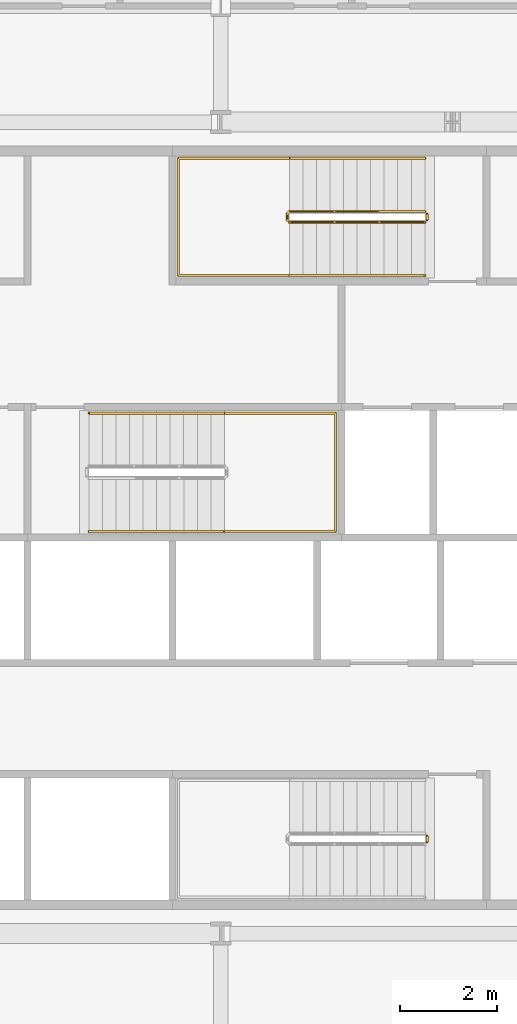
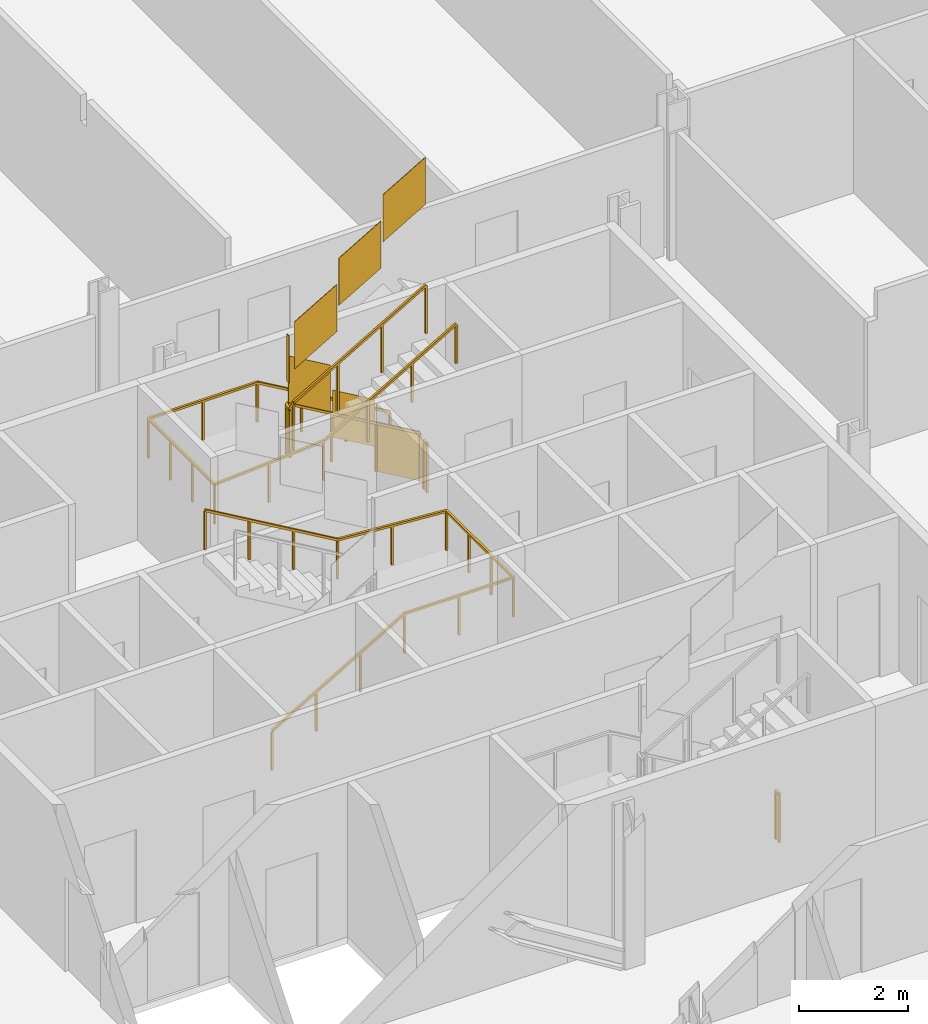
# One storey, part 19 of 22: 5 railings.
"""IFC4 building model written with IfcOpenShell, lengths in metres."""

from ifc_helpers import new_model, si_unit, direction, frame, origin, origin_2d, place, context, subcontext, project, spatial, polyline, rectangle, outline, extrude, material, type_object, element, save


model = new_model("IFC4")

# Units and contexts
model_context = context("Model", 3, precision=1e-05, world=origin(), true_north=direction((0.0, 1.0)))
body_context = subcontext(model_context, "Body", "Model", "MODEL_VIEW")
ifc_project = project(units=[si_unit("LENGTHUNIT", "METRE"), si_unit("AREAUNIT", "SQUARE_METRE"), si_unit("VOLUMEUNIT", "CUBIC_METRE"), si_unit("PLANEANGLEUNIT", "RADIAN"), si_unit("MASSUNIT", "GRAM", prefix="KILO")], contexts=[model_context])

# Site, building, storey
site_placement = place(None, origin())
site = spatial("IfcSite", under=ifc_project, at=site_placement, CompositionType="ELEMENT")
building_placement = place(site_placement, origin())
building = spatial("IfcBuilding", under=site, at=building_placement, Name="Cairn Pilgrim Tower", CompositionType="ELEMENT")
storey_placement = place(building_placement, frame((0.0, 0.0, 105.0)))
storey = spatial("IfcBuildingStorey", under=building, at=storey_placement, Name="L25", CompositionType="ELEMENT", Elevation=105.0)

# Railings
ifc_material = material(Name="Painted steel", Category="steel")
railing_type_1 = type_object("IfcRailingType", Name="STAIR GUARD 1100", PredefinedType="GUARDRAIL", material=ifc_material)
railing_1_placement = place(storey_placement, frame((11.47509765625, -3.97509765625, 0.0)))
element("IfcRailing", 1, at=railing_1_placement, inside=storey, type_object=railing_type_1, Name="L25 ST-A stair guard 2", PredefinedType="GUARDRAIL", context=body_context, shape_type="SweptSolid", body=[
    extrude(rectangle(XDim=0.048095703125, YDim=0.048095703125, at=origin_2d()), frame((0.0, 0.0, 1.076171875), z_axis=(0.0, -1.0, 0.0), x_axis=(1.0, 0.0, 0.0)), (0.0, 0.0, 1.0), 0.125),
    extrude(rectangle(XDim=0.0419921875, YDim=0.0419921875, at=origin_2d()), origin(), (0.0, 0.0, 1.0), 1.052001953125),
    extrude(rectangle(XDim=0.0419921875, YDim=0.0419921875, at=origin_2d()), frame((0.0, -0.125, 0.0)), (0.0, 0.0, 1.0), 1.052001953125),
    extrude(outline(polyline([(0.02099609375, 0.0), (0.10400390625, 0.0), (0.10400390625, 1.052001953125), (0.02099609375, 1.052001953125), (0.02099609375, 0.0)])), frame((0.005859375, 0.0, 0.0), z_axis=(-1.0, 0.0, 0.0), x_axis=(0.0, -1.0, 0.0)), (0.0, 0.0, 1.0), 0.011962890625),
])
railing_2_placement = place(storey_placement, frame((11.425048828125, 8.949951171875, 0.16357421875)))
element("IfcRailing", 2, at=railing_2_placement, inside=storey, type_object=railing_type_1, Name="L25 ST-C stair guard 1", PredefinedType="GUARDRAIL", context=body_context, shape_type="SweptSolid", body=[
    extrude(rectangle(XDim=0.048095703125, YDim=0.048095703125, at=origin_2d()), frame((0.0, 0.0, 1.076171875), z_axis=(-0.863360870873, 0.0, 0.504586966384), x_axis=(0.0, -1.0, 0.0)), (0.0, 0.0, 1.0), 3.2431640625),
    extrude(rectangle(XDim=0.048095703125, YDim=0.048095703125, at=origin_2d()), frame((-2.800048828125, 0.0, 2.71240234375), z_axis=(-0.707106781187, -0.707106781187, 0.0), x_axis=(0.707106781187, -0.707106781187, 0.0)), (0.0, 0.0, 1.0), 0.07080078125),
    extrude(rectangle(XDim=0.048095703125, YDim=0.048095703125, at=origin_2d()), frame((-2.85009765625, -0.050048828125, 2.71240234375), z_axis=(0.0, -1.0, 0.0), x_axis=(1.0, 0.0, 0.0)), (0.0, 0.0, 1.0), 0.125),
    extrude(rectangle(XDim=0.048095703125, YDim=0.048095703125, at=origin_2d()), frame((-2.85009765625, -0.175048828125, 2.71240234375), z_axis=(0.280916556609, -0.279546231943, 0.91811752648), x_axis=(0.705375805398, 0.708833529934, 0.0)), (0.0, 0.0, 1.0), 0.17822265625),
    extrude(rectangle(XDim=0.048095703125, YDim=0.048095703125, at=origin_2d()), frame((-2.800048828125, -0.224853515625, 2.8759765625), z_axis=(0.863360870873, 0.0, 0.504586966384), x_axis=(0.0, 1.0, 0.0)), (0.0, 0.0, 1.0), 3.2431640625),
    extrude(rectangle(XDim=0.0419921875, YDim=0.0419921875, at=origin_2d()), origin(), (0.0, 0.0, 1.0), 1.052001953125),
    extrude(rectangle(XDim=0.0419921875, YDim=0.0419921875, at=origin_2d()), frame((-0.933349609375, 0.0, 0.54541015625)), (0.0, 0.0, 1.0), 1.052001953125),
    extrude(rectangle(XDim=0.0419921875, YDim=0.0419921875, at=origin_2d()), frame((-1.86669921875, 0.0, 1.091064453125)), (0.0, 0.0, 1.0), 1.052001953125),
    extrude(rectangle(XDim=0.0419921875, YDim=0.0419921875, at=origin_2d()), frame((-2.800048828125, 0.0, 1.636474609375)), (0.0, 0.0, 1.0), 1.052001953125),
    extrude(rectangle(XDim=0.0419921875, YDim=0.0419921875, at=origin_2d()), frame((-2.85009765625, -0.050048828125, 1.636474609375)), (0.0, 0.0, 1.0), 1.052001953125),
    extrude(rectangle(XDim=0.0419921875, YDim=0.0419921875, at=origin_2d()), frame((-2.85009765625, -0.175048828125, 1.636474609375)), (0.0, 0.0, 1.0), 1.052001953125),
    extrude(rectangle(XDim=0.0419921875, YDim=0.0419921875, at=origin_2d()), frame((-2.800048828125, -0.224853515625, 1.800048828125)), (0.0, 0.0, 1.0), 1.052001953125),
    extrude(rectangle(XDim=0.0419921875, YDim=0.0419921875, at=origin_2d()), frame((-1.86669921875, -0.224853515625, 2.345458984375)), (0.0, 0.0, 1.0), 1.052001953125),
    extrude(rectangle(XDim=0.0419921875, YDim=0.0419921875, at=origin_2d()), frame((-0.933349609375, -0.224853515625, 2.89111328125)), (0.0, 0.0, 1.0), 1.052001953125),
    extrude(rectangle(XDim=0.0419921875, YDim=0.0419921875, at=origin_2d()), frame((0.0, -0.224853515625, 3.4365234375)), (0.0, 0.0, 1.0), 1.052001953125),
    extrude(outline(polyline([(0.02099609375, 0.01220703125), (0.912353515625, 0.533203125), (0.912353515625, 1.585205078125), (0.02099609375, 1.064208984375), (0.02099609375, 0.01220703125)])), frame((0.0, -0.005859375, 0.0), z_axis=(0.0, 1.0, 0.0), x_axis=(-1.0, 0.0, 0.0)), (0.0, 0.0, 1.0), 0.011962890625),
    extrude(outline(polyline([(0.02099609375, 0.557861328125), (0.912353515625, 1.07861328125), (0.912353515625, 2.130615234375), (0.02099609375, 1.60986328125), (0.02099609375, 0.557861328125)])), frame((-0.933349609375, -0.005859375, 0.54541015625), z_axis=(0.0, 1.0, 0.0), x_axis=(-1.0, 0.0, 0.0)), (0.0, 0.0, 1.0), 0.011962890625),
    extrude(outline(polyline([(0.02099609375, 1.103271484375), (0.912353515625, 1.624267578125), (0.912353515625, 2.67626953125), (0.02099609375, 2.1552734375), (0.02099609375, 1.103271484375)])), frame((-1.86669921875, -0.005859375, 1.091064453125), z_axis=(0.0, 1.0, 0.0), x_axis=(-1.0, 0.0, 0.0)), (0.0, 0.0, 1.0), 0.011962890625),
    extrude(outline(polyline([(0.02099609375, 1.636474609375), (0.10400390625, 1.636474609375), (0.10400390625, 2.6884765625), (0.02099609375, 2.6884765625), (0.02099609375, 1.636474609375)])), frame((-2.84423828125, -0.050048828125, 1.636474609375), z_axis=(-1.0, 0.0, 0.0), x_axis=(0.0, -1.0, 0.0)), (0.0, 0.0, 1.0), 0.011962890625),
    extrude(outline(polyline([(0.02099609375, 1.812255859375), (0.912353515625, 2.333251953125), (0.912353515625, 3.38525390625), (0.02099609375, 2.8642578125), (0.02099609375, 1.812255859375)])), frame((-2.800048828125, -0.21875, 1.800048828125), z_axis=(0.0, -1.0, 0.0), x_axis=(1.0, 0.0, 0.0)), (0.0, 0.0, 1.0), 0.011962890625),
    extrude(outline(polyline([(0.02099609375, 2.35791015625), (0.912353515625, 2.878662109375), (0.912353515625, 3.9306640625), (0.02099609375, 3.409912109375), (0.02099609375, 2.35791015625)])), frame((-1.86669921875, -0.21875, 2.345458984375), z_axis=(0.0, -1.0, 0.0), x_axis=(1.0, 0.0, 0.0)), (0.0, 0.0, 1.0), 0.011962890625),
    extrude(outline(polyline([(0.02099609375, 2.9033203125), (0.912353515625, 3.42431640625), (0.912353515625, 4.476318359375), (0.02099609375, 3.955322265625), (0.02099609375, 2.9033203125)])), frame((-0.933349609375, -0.21875, 2.89111328125), z_axis=(0.0, -1.0, 0.0), x_axis=(1.0, 0.0, 0.0)), (0.0, 0.0, 1.0), 0.011962890625),
])
railing_3_placement = place(storey_placement, frame((11.47509765625, 8.89990234375, 0.0)))
element("IfcRailing", 3, at=railing_3_placement, inside=storey, type_object=railing_type_1, Name="L25 ST-C stair guard 2", PredefinedType="GUARDRAIL", context=body_context, shape_type="SweptSolid", body=[
    extrude(rectangle(XDim=0.048095703125, YDim=0.048095703125, at=origin_2d()), frame((0.0, 0.0, 1.076171875), z_axis=(0.0, -1.0, 0.0), x_axis=(1.0, 0.0, 0.0)), (0.0, 0.0, 1.0), 0.125),
    extrude(rectangle(XDim=0.0419921875, YDim=0.0419921875, at=origin_2d()), origin(), (0.0, 0.0, 1.0), 1.052001953125),
    extrude(rectangle(XDim=0.0419921875, YDim=0.0419921875, at=origin_2d()), frame((0.0, -0.125, 0.0)), (0.0, 0.0, 1.0), 1.052001953125),
    extrude(outline(polyline([(0.02099609375, 0.0), (0.10400390625, 0.0), (0.10400390625, 1.052001953125), (0.02099609375, 1.052001953125), (0.02099609375, 0.0)])), frame((0.005859375, 0.0, 0.0), z_axis=(-1.0, 0.0, 0.0), x_axis=(0.0, -1.0, 0.0)), (0.0, 0.0, 1.0), 0.011962890625),
])
railing_type_2 = type_object("IfcRailingType", Name="STAIR HANDRAIL 900", PredefinedType="HANDRAIL", material=ifc_material)
railing_4_placement = place(storey_placement, frame((4.47509765625, 2.324951171875, 0.16357421875)))
element("IfcRailing", 4, at=railing_4_placement, inside=storey, type_object=railing_type_2, Name="L25 ST-B stair handrail 1", PredefinedType="HANDRAIL", context=body_context, shape_type="SweptSolid", body=[
    extrude(rectangle(XDim=0.048095703125, YDim=0.048095703125, at=origin_2d()), frame((0.0, 0.0, 0.8759765625), z_axis=(0.863341702679, 0.0, 0.504619762213), x_axis=(0.0, 1.0, 0.0)), (0.0, 0.0, 1.0), 3.242919921875),
    extrude(rectangle(XDim=0.048095703125, YDim=0.048095703125, at=origin_2d()), frame((2.7998046875, 0.0, 2.51220703125), z_axis=(1.0, 0.0, 0.0), x_axis=(0.0, 1.0, 0.0)), (0.0, 0.0, 1.0), 2.300048828125),
    extrude(rectangle(XDim=0.048095703125, YDim=0.048095703125, at=origin_2d()), frame((5.099853515625, 0.0, 2.51220703125), z_axis=(0.0, 1.0, 0.0), x_axis=(-1.0, 0.0, 0.0)), (0.0, 0.0, 1.0), 2.449951171875),
    extrude(rectangle(XDim=0.048095703125, YDim=0.048095703125, at=origin_2d()), frame((5.099853515625, 2.449951171875, 2.51220703125), z_axis=(-0.997480687736, 0.0, 0.070938548008), x_axis=(0.0, -1.0, 0.0)), (0.0, 0.0, 1.0), 2.305908203125),
    extrude(rectangle(XDim=0.048095703125, YDim=0.048095703125, at=origin_2d()), frame((2.7998046875, 2.449951171875, 2.67578125), z_axis=(-0.863341702679, 0.0, 0.504619762213), x_axis=(0.0, -1.0, 0.0)), (0.0, 0.0, 1.0), 3.242919921875),
    extrude(rectangle(XDim=0.0419921875, YDim=0.0419921875, at=origin_2d()), origin(), (0.0, 0.0, 1.0), 0.851806640625),
    extrude(rectangle(XDim=0.0419921875, YDim=0.0419921875, at=origin_2d()), frame((0.933349609375, 0.0, 0.54541015625)), (0.0, 0.0, 1.0), 0.851806640625),
    extrude(rectangle(XDim=0.0419921875, YDim=0.0419921875, at=origin_2d()), frame((1.866455078125, 0.0, 1.091064453125)), (0.0, 0.0, 1.0), 0.851806640625),
    extrude(rectangle(XDim=0.0419921875, YDim=0.0419921875, at=origin_2d()), frame((2.7998046875, 0.0, 1.636474609375)), (0.0, 0.0, 1.0), 0.851806640625),
    extrude(rectangle(XDim=0.0419921875, YDim=0.0419921875, at=origin_2d()), frame((3.94970703125, 0.0, 1.636474609375)), (0.0, 0.0, 1.0), 0.851806640625),
    extrude(rectangle(XDim=0.0419921875, YDim=0.0419921875, at=origin_2d()), frame((5.099853515625, 0.0, 1.636474609375)), (0.0, 0.0, 1.0), 0.851806640625),
    extrude(rectangle(XDim=0.0419921875, YDim=0.0419921875, at=origin_2d()), frame((5.099853515625, 0.816650390625, 1.636474609375)), (0.0, 0.0, 1.0), 0.851806640625),
    extrude(rectangle(XDim=0.0419921875, YDim=0.0419921875, at=origin_2d()), frame((5.099853515625, 1.63330078125, 1.636474609375)), (0.0, 0.0, 1.0), 0.851806640625),
    extrude(rectangle(XDim=0.0419921875, YDim=0.0419921875, at=origin_2d()), frame((5.099853515625, 2.449951171875, 1.636474609375)), (0.0, 0.0, 1.0), 0.851806640625),
    extrude(rectangle(XDim=0.0419921875, YDim=0.0419921875, at=origin_2d()), frame((3.94970703125, 2.449951171875, 1.71826171875)), (0.0, 0.0, 1.0), 0.851806640625),
    extrude(rectangle(XDim=0.0419921875, YDim=0.0419921875, at=origin_2d()), frame((2.7998046875, 2.449951171875, 1.800048828125)), (0.0, 0.0, 1.0), 0.851806640625),
    extrude(rectangle(XDim=0.0419921875, YDim=0.0419921875, at=origin_2d()), frame((1.866455078125, 2.449951171875, 2.345458984375)), (0.0, 0.0, 1.0), 0.851806640625),
    extrude(rectangle(XDim=0.0419921875, YDim=0.0419921875, at=origin_2d()), frame((0.933349609375, 2.449951171875, 2.89111328125)), (0.0, 0.0, 1.0), 0.851806640625),
    extrude(rectangle(XDim=0.0419921875, YDim=0.0419921875, at=origin_2d()), frame((0.0, 2.449951171875, 3.4365234375)), (0.0, 0.0, 1.0), 0.851806640625),
])
railing_5_placement = place(storey_placement, frame((11.425048828125, 10.050048828125, 0.16357421875)))
element("IfcRailing", 5, at=railing_5_placement, inside=storey, type_object=railing_type_2, Name="L25 ST-C stair handrail 1", PredefinedType="HANDRAIL", context=body_context, shape_type="SweptSolid", body=[
    extrude(rectangle(XDim=0.048095703125, YDim=0.048095703125, at=origin_2d()), frame((0.0, 0.0, 0.8759765625), z_axis=(-0.863360870873, 0.0, 0.504586966384), x_axis=(0.0, -1.0, 0.0)), (0.0, 0.0, 1.0), 3.2431640625),
    extrude(rectangle(XDim=0.048095703125, YDim=0.048095703125, at=origin_2d()), frame((-2.800048828125, 0.0, 2.51220703125), z_axis=(-1.0, 0.0, 0.0), x_axis=(0.0, -1.0, 0.0)), (0.0, 0.0, 1.0), 2.300048828125),
    extrude(rectangle(XDim=0.048095703125, YDim=0.048095703125, at=origin_2d()), frame((-5.10009765625, 0.0, 2.51220703125), z_axis=(0.0, -1.0, 0.0), x_axis=(1.0, 0.0, 0.0)), (0.0, 0.0, 1.0), 2.425048828125),
    extrude(rectangle(XDim=0.048095703125, YDim=0.048095703125, at=origin_2d()), frame((-5.10009765625, -2.425048828125, 2.51220703125), z_axis=(0.997480687736, 0.0, 0.070938548008), x_axis=(0.0, 1.0, 0.0)), (0.0, 0.0, 1.0), 2.305908203125),
    extrude(rectangle(XDim=0.048095703125, YDim=0.048095703125, at=origin_2d()), frame((-2.800048828125, -2.425048828125, 2.67578125), z_axis=(0.863360870873, 0.0, 0.504586966384), x_axis=(0.0, 1.0, 0.0)), (0.0, 0.0, 1.0), 3.2431640625),
    extrude(rectangle(XDim=0.0419921875, YDim=0.0419921875, at=origin_2d()), origin(), (0.0, 0.0, 1.0), 0.851806640625),
    extrude(rectangle(XDim=0.0419921875, YDim=0.0419921875, at=origin_2d()), frame((-0.933349609375, 0.0, 0.54541015625)), (0.0, 0.0, 1.0), 0.851806640625),
    extrude(rectangle(XDim=0.0419921875, YDim=0.0419921875, at=origin_2d()), frame((-1.86669921875, 0.0, 1.091064453125)), (0.0, 0.0, 1.0), 0.851806640625),
    extrude(rectangle(XDim=0.0419921875, YDim=0.0419921875, at=origin_2d()), frame((-2.800048828125, 0.0, 1.636474609375)), (0.0, 0.0, 1.0), 0.851806640625),
    extrude(rectangle(XDim=0.0419921875, YDim=0.0419921875, at=origin_2d()), frame((-3.9501953125, 0.0, 1.636474609375)), (0.0, 0.0, 1.0), 0.851806640625),
    extrude(rectangle(XDim=0.0419921875, YDim=0.0419921875, at=origin_2d()), frame((-5.10009765625, 0.0, 1.636474609375)), (0.0, 0.0, 1.0), 0.851806640625),
    extrude(rectangle(XDim=0.0419921875, YDim=0.0419921875, at=origin_2d()), frame((-5.10009765625, -0.808349609375, 1.636474609375)), (0.0, 0.0, 1.0), 0.851806640625),
    extrude(rectangle(XDim=0.0419921875, YDim=0.0419921875, at=origin_2d()), frame((-5.10009765625, -1.61669921875, 1.636474609375)), (0.0, 0.0, 1.0), 0.851806640625),
    extrude(rectangle(XDim=0.0419921875, YDim=0.0419921875, at=origin_2d()), frame((-5.10009765625, -2.425048828125, 1.636474609375)), (0.0, 0.0, 1.0), 0.851806640625),
    extrude(rectangle(XDim=0.0419921875, YDim=0.0419921875, at=origin_2d()), frame((-3.9501953125, -2.425048828125, 1.71826171875)), (0.0, 0.0, 1.0), 0.851806640625),
    extrude(rectangle(XDim=0.0419921875, YDim=0.0419921875, at=origin_2d()), frame((-2.800048828125, -2.425048828125, 1.800048828125)), (0.0, 0.0, 1.0), 0.851806640625),
    extrude(rectangle(XDim=0.0419921875, YDim=0.0419921875, at=origin_2d()), frame((-1.86669921875, -2.425048828125, 2.345458984375)), (0.0, 0.0, 1.0), 0.851806640625),
    extrude(rectangle(XDim=0.0419921875, YDim=0.0419921875, at=origin_2d()), frame((-0.933349609375, -2.425048828125, 2.89111328125)), (0.0, 0.0, 1.0), 0.851806640625),
    extrude(rectangle(XDim=0.0419921875, YDim=0.0419921875, at=origin_2d()), frame((0.0, -2.425048828125, 3.4365234375)), (0.0, 0.0, 1.0), 0.851806640625),
])

save(model, "model.ifc")
